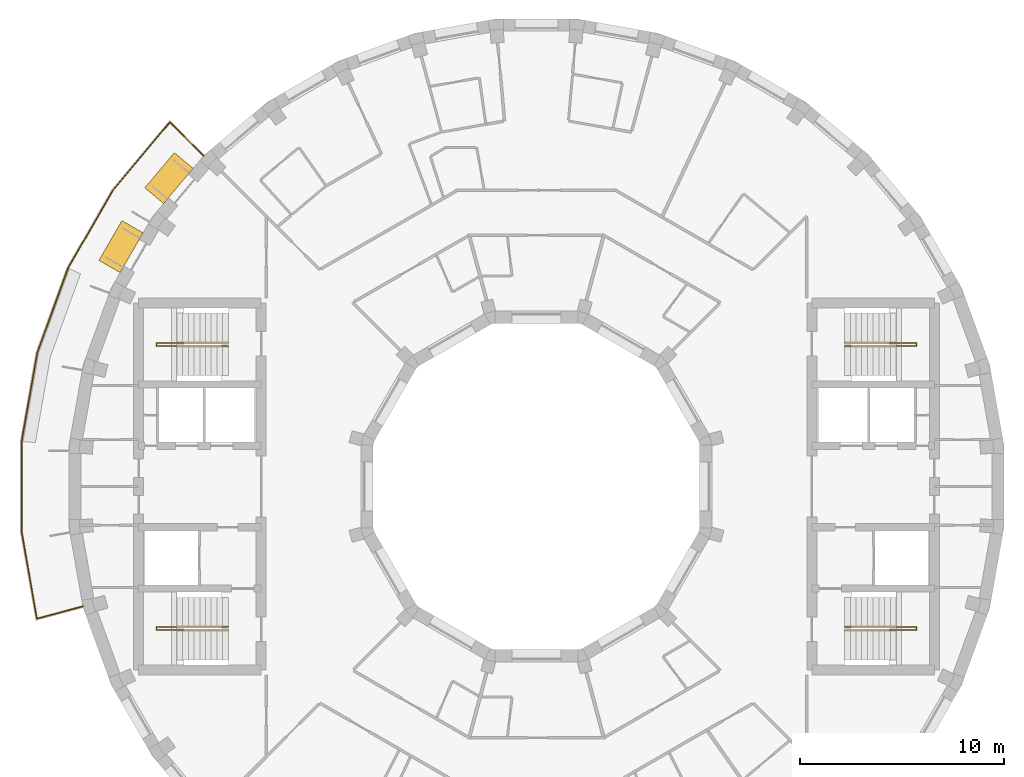
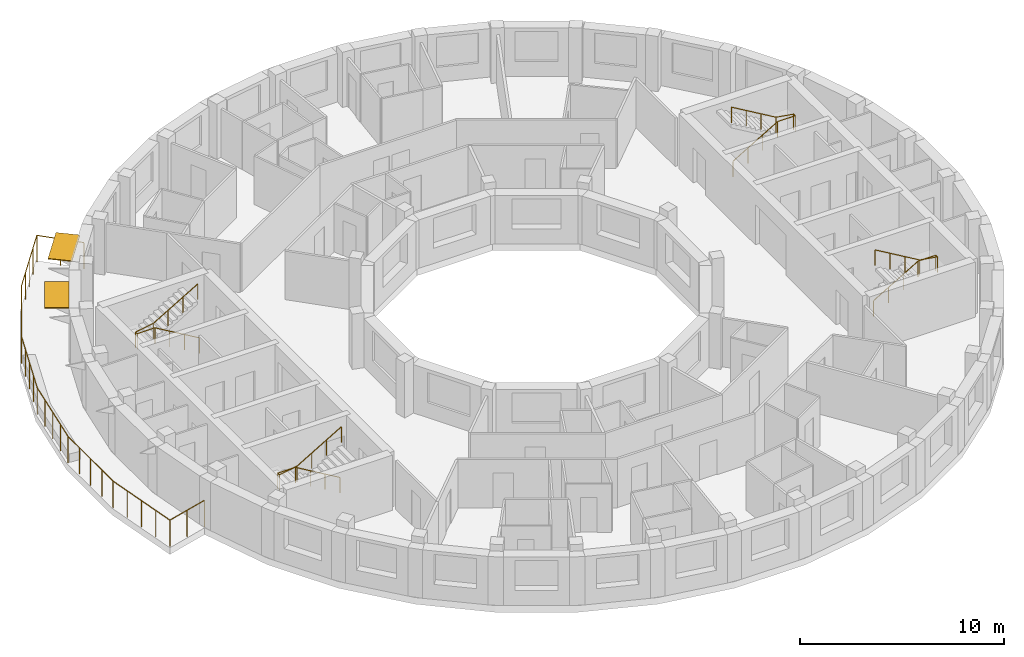
# One storey, part 10 of 10: 5 railings, 2 shading devices.
"""IFC4 building model written with IfcOpenShell, lengths in metres."""

from ifc_helpers import new_model, si_unit, direction, frame, origin, origin_2d, place, context, subcontext, project, spatial, rectangle, circle, extrude, material, layer, layer_set, type_object, element, save


model = new_model("IFC4")

# Units and contexts
model_context = context("Model", 3, precision=1e-05, world=origin(), true_north=direction((0.0, 1.0)))
body_context = subcontext(model_context, "Body", "Model", "MODEL_VIEW")
ifc_project = project(units=[si_unit("LENGTHUNIT", "METRE"), si_unit("AREAUNIT", "SQUARE_METRE"), si_unit("VOLUMEUNIT", "CUBIC_METRE"), si_unit("PLANEANGLEUNIT", "RADIAN"), si_unit("MASSUNIT", "GRAM", prefix="KILO")], contexts=[model_context])

# Site, building, storey
site_placement = place(None, origin())
site = spatial("IfcSite", under=ifc_project, at=site_placement, CompositionType="ELEMENT")
building_placement = place(site_placement, origin())
building = spatial("IfcBuilding", under=site, at=building_placement, Name="Saqina Gate Tower", CompositionType="ELEMENT")
storey_placement = place(building_placement, frame((0.0, 0.0, 239.60009765625)))
storey = spatial("IfcBuildingStorey", under=building, at=storey_placement, Name="L68", CompositionType="ELEMENT", Elevation=239.60009765625)

# Shading devices
ifc_material_1 = material(Name="Aluminium and fabric awning", Category="aluminium")
ifc_layer = layer(ifc_material_1, 0.050048828125)
ifc_layer_set = layer_set([ifc_layer], Name="AW-TERRACE")
shading_device_type = type_object("IfcShadingDeviceType", Name="AW-TERRACE", PredefinedType="AWNING", material=ifc_layer_set)
for number, where, z_axis, x_axis, name in (
    (1, (-18.01171875, 15.113525390625, 2.52490234375), (0.0, 0.0, 1.0), (-0.642787609687, -0.766044443119, 0.0), "Terrace awning L68 facet 14"),
    (2, (-20.3623046875, 11.756103515625, 2.52490234375), (0.0, 0.0, 1.0), (-0.5, -0.866025403784, 0.0), "Terrace awning L68 facet 15"),
):
    element("IfcShadingDevice", number, at=place(storey_placement, frame(where, z_axis=z_axis, x_axis=x_axis)), inside=storey, type_object=shading_device_type, Name=name, PredefinedType="AWNING", context=body_context, shape_type="SweptSolid", body=[
        extrude(rectangle(XDim=2.251708984375, YDim=1.199951171875, at=origin_2d()), origin(), (0.0, 0.0, 1.0), 0.050048828125),
    ])

# Railings
ifc_material_2 = material(Name="Stainless steel", Category="steel")
railing_type_1 = type_object("IfcRailingType", Name="RL-TERRACE", PredefinedType="GUARDRAIL", material=ifc_material_2)
railing_1_placement = place(storey_placement, frame((-16.277587890625, 16.16455078125, 0.0)))
element("IfcRailing", 3, at=railing_1_placement, inside=storey, type_object=railing_type_1, Name="Terrace guard L68", PredefinedType="GUARDRAIL", context=body_context, shape_type="SweptSolid", body=[
    extrude(circle(Radius=0.02392578125, at=origin_2d()), frame((0.0, 0.0, 1.576171875), z_axis=(-0.707157881947, 0.707055676733, 0.0), x_axis=(-0.707055676733, -0.707157881947, 0.0)), (0.0, 0.0, 1.0), 2.388671875),
    extrude(circle(Radius=0.02392578125, at=origin_2d()), frame((-1.689208984375, 1.68896484375, 1.576171875), z_axis=(-0.641584720745, -0.76705217952, 0.0), x_axis=(0.76705217952, -0.641584720745, 0.0)), (0.0, 0.0, 1.0), 4.33544921875),
    extrude(circle(Radius=0.02392578125, at=origin_2d()), frame((-4.470703125, -1.636474609375, 1.576171875), z_axis=(-0.49998092645, -0.866036415623, 0.0), x_axis=(0.866036415623, -0.49998092645, 0.0)), (0.0, 0.0, 1.0), 4.415283203125),
    extrude(circle(Radius=0.02392578125, at=origin_2d()), frame((-6.67822265625, -5.460205078125, 1.576171875), z_axis=(-0.342022770825, -0.93969166445, 0.0), x_axis=(0.93969166445, -0.342022770825, 0.0)), (0.0, 0.0, 1.0), 4.4150390625),
    extrude(circle(Radius=0.02392578125, at=origin_2d()), frame((-8.188232421875, -9.60888671875, 1.576171875), z_axis=(-0.173627609853, -0.984811379451, 0.0), x_axis=(0.984811379451, -0.173627609853, 0.0)), (0.0, 0.0, 1.0), 4.415283203125),
    extrude(circle(Radius=0.02392578125, at=origin_2d()), frame((-8.954833984375, -13.95703125, 1.576171875), z_axis=(0.0, -1.0, 0.0), x_axis=(1.0, 0.0, 0.0)), (0.0, 0.0, 1.0), 4.4150390625),
    extrude(circle(Radius=0.02392578125, at=origin_2d()), frame((-8.954833984375, -18.3720703125, 1.576171875), z_axis=(0.172037454969, -0.985090409093, 0.0), x_axis=(0.985090409093, 0.172037454969, 0.0)), (0.0, 0.0, 1.0), 4.33544921875),
    extrude(circle(Radius=0.02392578125, at=origin_2d()), frame((-8.208984375, -22.642822265625, 1.576171875), z_axis=(0.96594257821, 0.258756517988, 0.0), x_axis=(-0.258756517988, 0.96594257821, 0.0)), (0.0, 0.0, 1.0), 2.388916015625),
    extrude(circle(Radius=0.02099609375, at=origin_2d()), origin(), (0.0, 0.0, 1.0), 1.552001953125),
    extrude(circle(Radius=0.02099609375, at=origin_2d()), frame((-0.8447265625, 0.844482421875, 0.0)), (0.0, 0.0, 1.0), 1.552001953125),
    extrude(circle(Radius=0.02099609375, at=origin_2d()), frame((-1.689208984375, 1.68896484375, 0.0)), (0.0, 0.0, 1.0), 1.552001953125),
    extrude(circle(Radius=0.02099609375, at=origin_2d()), frame((-2.384521484375, 0.857666015625, 0.0)), (0.0, 0.0, 1.0), 1.552001953125),
    extrude(circle(Radius=0.02099609375, at=origin_2d()), frame((-3.080078125, 0.0263671875, 0.0)), (0.0, 0.0, 1.0), 1.552001953125),
    extrude(circle(Radius=0.02099609375, at=origin_2d()), frame((-3.775390625, -0.80517578125, 0.0)), (0.0, 0.0, 1.0), 1.552001953125),
    extrude(circle(Radius=0.02099609375, at=origin_2d()), frame((-4.470703125, -1.636474609375, 0.0)), (0.0, 0.0, 1.0), 1.552001953125),
    extrude(circle(Radius=0.02099609375, at=origin_2d()), frame((-5.0224609375, -2.59228515625, 0.0)), (0.0, 0.0, 1.0), 1.552001953125),
    extrude(circle(Radius=0.02099609375, at=origin_2d()), frame((-5.574462890625, -3.54833984375, 0.0)), (0.0, 0.0, 1.0), 1.552001953125),
    extrude(circle(Radius=0.02099609375, at=origin_2d()), frame((-6.12646484375, -4.50439453125, 0.0)), (0.0, 0.0, 1.0), 1.552001953125),
    extrude(circle(Radius=0.02099609375, at=origin_2d()), frame((-6.67822265625, -5.460205078125, 0.0)), (0.0, 0.0, 1.0), 1.552001953125),
    extrude(circle(Radius=0.02099609375, at=origin_2d()), frame((-7.0556640625, -6.497314453125, 0.0)), (0.0, 0.0, 1.0), 1.552001953125),
    extrude(circle(Radius=0.02099609375, at=origin_2d()), frame((-7.43310546875, -7.53466796875, 0.0)), (0.0, 0.0, 1.0), 1.552001953125),
    extrude(circle(Radius=0.02099609375, at=origin_2d()), frame((-7.810791015625, -8.57177734375, 0.0)), (0.0, 0.0, 1.0), 1.552001953125),
    extrude(circle(Radius=0.02099609375, at=origin_2d()), frame((-8.188232421875, -9.60888671875, 0.0)), (0.0, 0.0, 1.0), 1.552001953125),
    extrude(circle(Radius=0.02099609375, at=origin_2d()), frame((-8.3798828125, -10.69580078125, 0.0)), (0.0, 0.0, 1.0), 1.552001953125),
    extrude(circle(Radius=0.02099609375, at=origin_2d()), frame((-8.571533203125, -11.782958984375, 0.0)), (0.0, 0.0, 1.0), 1.552001953125),
    extrude(circle(Radius=0.02099609375, at=origin_2d()), frame((-8.76318359375, -12.8701171875, 0.0)), (0.0, 0.0, 1.0), 1.552001953125),
    extrude(circle(Radius=0.02099609375, at=origin_2d()), frame((-8.954833984375, -13.95703125, 0.0)), (0.0, 0.0, 1.0), 1.552001953125),
    extrude(circle(Radius=0.02099609375, at=origin_2d()), frame((-8.954833984375, -15.060791015625, 0.0)), (0.0, 0.0, 1.0), 1.552001953125),
    extrude(circle(Radius=0.02099609375, at=origin_2d()), frame((-8.954833984375, -16.16455078125, 0.0)), (0.0, 0.0, 1.0), 1.552001953125),
    extrude(circle(Radius=0.02099609375, at=origin_2d()), frame((-8.954833984375, -17.268310546875, 0.0)), (0.0, 0.0, 1.0), 1.552001953125),
    extrude(circle(Radius=0.02099609375, at=origin_2d()), frame((-8.954833984375, -18.3720703125, 0.0)), (0.0, 0.0, 1.0), 1.552001953125),
    extrude(circle(Radius=0.02099609375, at=origin_2d()), frame((-8.768310546875, -19.439697265625, 0.0)), (0.0, 0.0, 1.0), 1.552001953125),
    extrude(circle(Radius=0.02099609375, at=origin_2d()), frame((-8.58203125, -20.50732421875, 0.0)), (0.0, 0.0, 1.0), 1.552001953125),
    extrude(circle(Radius=0.02099609375, at=origin_2d()), frame((-8.3955078125, -21.5751953125, 0.0)), (0.0, 0.0, 1.0), 1.552001953125),
    extrude(circle(Radius=0.02099609375, at=origin_2d()), frame((-8.208984375, -22.642822265625, 0.0)), (0.0, 0.0, 1.0), 1.552001953125),
    extrude(circle(Radius=0.02099609375, at=origin_2d()), frame((-7.05517578125, -22.333740234375, 0.0)), (0.0, 0.0, 1.0), 1.552001953125),
    extrude(circle(Radius=0.02099609375, at=origin_2d()), frame((-5.9013671875, -22.024658203125, 0.0)), (0.0, 0.0, 1.0), 1.552001953125),
])
ifc_material_3 = material(Name="Stainless steel", Category="steel")
railing_type_2 = type_object("IfcRailingType", Name="STAIR HANDRAIL", PredefinedType="HANDRAIL", material=ifc_material_3)
railing_2_placement = place(storey_placement, frame((15.10009765625, 6.88330078125, 0.164794921875)))
element("IfcRailing", 4, at=railing_2_placement, inside=storey, type_object=railing_type_2, Name="EXIT STAIR 1 HANDRAIL", PredefinedType="HANDRAIL", context=body_context, shape_type="SweptSolid", body=[
    extrude(circle(Radius=0.02392578125, at=origin_2d()), frame((0.0, 0.0, 0.92578125), z_axis=(0.86152411907, 0.0, 0.507716645641), x_axis=(0.0, 1.0, 0.0)), (0.0, 0.0, 1.0), 2.925048828125),
    extrude(circle(Radius=0.02392578125, at=origin_2d()), frame((2.52001953125, 0.0, 2.4111328125), z_axis=(1.0, 0.0, 0.0), x_axis=(0.0, 1.0, 0.0)), (0.0, 0.0, 1.0), 1.0),
    extrude(circle(Radius=0.02392578125, at=origin_2d()), frame((3.52001953125, 0.0, 2.4111328125), z_axis=(0.0, 1.0, 0.0), x_axis=(-1.0, 0.0, 0.0)), (0.0, 0.0, 1.0), 0.158447265625),
    extrude(circle(Radius=0.02392578125, at=origin_2d()), frame((3.52001953125, 0.158447265625, 2.4111328125), z_axis=(-0.98665309941, 0.0, 0.162836302539), x_axis=(0.0, -1.0, 0.0)), (0.0, 0.0, 1.0), 1.013427734375),
    extrude(circle(Radius=0.02392578125, at=origin_2d()), frame((2.52001953125, 0.158447265625, 2.576171875), z_axis=(-0.861560626758, 0.0, 0.507654692109), x_axis=(0.0, -1.0, 0.0)), (0.0, 0.0, 1.0), 2.925048828125),
    extrude(circle(Radius=0.02099609375, at=origin_2d()), origin(), (0.0, 0.0, 1.0), 0.90185546875),
    extrude(circle(Radius=0.02099609375, at=origin_2d()), frame((0.840087890625, 0.0, 0.4951171875)), (0.0, 0.0, 1.0), 0.90185546875),
    extrude(circle(Radius=0.02099609375, at=origin_2d()), frame((1.679931640625, 0.0, 0.989990234375)), (0.0, 0.0, 1.0), 0.90185546875),
    extrude(circle(Radius=0.02099609375, at=origin_2d()), frame((2.52001953125, 0.0, 1.485107421875)), (0.0, 0.0, 1.0), 0.90185546875),
    extrude(circle(Radius=0.02099609375, at=origin_2d()), frame((3.52001953125, 0.0, 1.485107421875)), (0.0, 0.0, 1.0), 0.90185546875),
    extrude(circle(Radius=0.02099609375, at=origin_2d()), frame((3.52001953125, 0.158447265625, 1.485107421875)), (0.0, 0.0, 1.0), 0.90185546875),
    extrude(circle(Radius=0.02099609375, at=origin_2d()), frame((2.52001953125, 0.158447265625, 1.650146484375)), (0.0, 0.0, 1.0), 0.90185546875),
    extrude(circle(Radius=0.02099609375, at=origin_2d()), frame((1.679931640625, 0.158447265625, 2.14501953125)), (0.0, 0.0, 1.0), 0.90185546875),
    extrude(circle(Radius=0.02099609375, at=origin_2d()), frame((0.840087890625, 0.158447265625, 2.64013671875)), (0.0, 0.0, 1.0), 0.90185546875),
    extrude(circle(Radius=0.02099609375, at=origin_2d()), frame((0.0, 0.158447265625, 3.135009765625)), (0.0, 0.0, 1.0), 0.90185546875),
])
railing_3_placement = place(storey_placement, frame((15.10009765625, -6.88330078125, 0.164794921875)))
element("IfcRailing", 5, at=railing_3_placement, inside=storey, type_object=railing_type_2, Name="EXIT STAIR 2 HANDRAIL", PredefinedType="HANDRAIL", context=body_context, shape_type="SweptSolid", body=[
    extrude(circle(Radius=0.02392578125, at=origin_2d()), frame((0.0, 0.0, 0.92578125), z_axis=(0.86152411907, 0.0, 0.507716645641), x_axis=(0.0, 1.0, 0.0)), (0.0, 0.0, 1.0), 2.925048828125),
    extrude(circle(Radius=0.02392578125, at=origin_2d()), frame((2.52001953125, 0.0, 2.4111328125), z_axis=(1.0, 0.0, 0.0), x_axis=(0.0, 1.0, 0.0)), (0.0, 0.0, 1.0), 1.0),
    extrude(circle(Radius=0.02392578125, at=origin_2d()), frame((3.52001953125, 0.0, 2.4111328125), z_axis=(0.0, -1.0, 0.0), x_axis=(1.0, 0.0, 0.0)), (0.0, 0.0, 1.0), 0.158447265625),
    extrude(circle(Radius=0.02392578125, at=origin_2d()), frame((3.52001953125, -0.158447265625, 2.4111328125), z_axis=(-0.98665309941, 0.0, 0.162836302539), x_axis=(0.0, -1.0, 0.0)), (0.0, 0.0, 1.0), 1.013427734375),
    extrude(circle(Radius=0.02392578125, at=origin_2d()), frame((2.52001953125, -0.158447265625, 2.576171875), z_axis=(-0.861560626758, 0.0, 0.507654692109), x_axis=(0.0, -1.0, 0.0)), (0.0, 0.0, 1.0), 2.925048828125),
    extrude(circle(Radius=0.02099609375, at=origin_2d()), origin(), (0.0, 0.0, 1.0), 0.90185546875),
    extrude(circle(Radius=0.02099609375, at=origin_2d()), frame((0.840087890625, 0.0, 0.4951171875)), (0.0, 0.0, 1.0), 0.90185546875),
    extrude(circle(Radius=0.02099609375, at=origin_2d()), frame((1.679931640625, 0.0, 0.989990234375)), (0.0, 0.0, 1.0), 0.90185546875),
    extrude(circle(Radius=0.02099609375, at=origin_2d()), frame((2.52001953125, 0.0, 1.485107421875)), (0.0, 0.0, 1.0), 0.90185546875),
    extrude(circle(Radius=0.02099609375, at=origin_2d()), frame((3.52001953125, 0.0, 1.485107421875)), (0.0, 0.0, 1.0), 0.90185546875),
    extrude(circle(Radius=0.02099609375, at=origin_2d()), frame((3.52001953125, -0.158447265625, 1.485107421875)), (0.0, 0.0, 1.0), 0.90185546875),
    extrude(circle(Radius=0.02099609375, at=origin_2d()), frame((2.52001953125, -0.158447265625, 1.650146484375)), (0.0, 0.0, 1.0), 0.90185546875),
    extrude(circle(Radius=0.02099609375, at=origin_2d()), frame((1.679931640625, -0.158447265625, 2.14501953125)), (0.0, 0.0, 1.0), 0.90185546875),
    extrude(circle(Radius=0.02099609375, at=origin_2d()), frame((0.840087890625, -0.158447265625, 2.64013671875)), (0.0, 0.0, 1.0), 0.90185546875),
    extrude(circle(Radius=0.02099609375, at=origin_2d()), frame((0.0, -0.158447265625, 3.135009765625)), (0.0, 0.0, 1.0), 0.90185546875),
])
railing_4_placement = place(storey_placement, frame((-15.10009765625, 6.88330078125, 0.164794921875)))
element("IfcRailing", 6, at=railing_4_placement, inside=storey, type_object=railing_type_2, Name="EXIT STAIR 3 HANDRAIL", PredefinedType="HANDRAIL", context=body_context, shape_type="SweptSolid", body=[
    extrude(circle(Radius=0.02392578125, at=origin_2d()), frame((0.0, 0.0, 0.92578125), z_axis=(-0.86152411907, 0.0, 0.507716645641), x_axis=(0.0, -1.0, 0.0)), (0.0, 0.0, 1.0), 2.925048828125),
    extrude(circle(Radius=0.02392578125, at=origin_2d()), frame((-2.52001953125, 0.0, 2.4111328125), z_axis=(-1.0, 0.0, 0.0), x_axis=(0.0, -1.0, 0.0)), (0.0, 0.0, 1.0), 1.0),
    extrude(circle(Radius=0.02392578125, at=origin_2d()), frame((-3.52001953125, 0.0, 2.4111328125), z_axis=(0.0, 1.0, 0.0), x_axis=(-1.0, 0.0, 0.0)), (0.0, 0.0, 1.0), 0.158447265625),
    extrude(circle(Radius=0.02392578125, at=origin_2d()), frame((-3.52001953125, 0.158447265625, 2.4111328125), z_axis=(0.98665309941, 0.0, 0.162836302539), x_axis=(0.0, 1.0, 0.0)), (0.0, 0.0, 1.0), 1.013427734375),
    extrude(circle(Radius=0.02392578125, at=origin_2d()), frame((-2.52001953125, 0.158447265625, 2.576171875), z_axis=(0.861560626758, 0.0, 0.507654692109), x_axis=(0.0, 1.0, 0.0)), (0.0, 0.0, 1.0), 2.925048828125),
    extrude(circle(Radius=0.02099609375, at=origin_2d()), origin(), (0.0, 0.0, 1.0), 0.90185546875),
    extrude(circle(Radius=0.02099609375, at=origin_2d()), frame((-0.840087890625, 0.0, 0.4951171875)), (0.0, 0.0, 1.0), 0.90185546875),
    extrude(circle(Radius=0.02099609375, at=origin_2d()), frame((-1.679931640625, 0.0, 0.989990234375)), (0.0, 0.0, 1.0), 0.90185546875),
    extrude(circle(Radius=0.02099609375, at=origin_2d()), frame((-2.52001953125, 0.0, 1.485107421875)), (0.0, 0.0, 1.0), 0.90185546875),
    extrude(circle(Radius=0.02099609375, at=origin_2d()), frame((-3.52001953125, 0.0, 1.485107421875)), (0.0, 0.0, 1.0), 0.90185546875),
    extrude(circle(Radius=0.02099609375, at=origin_2d()), frame((-3.52001953125, 0.158447265625, 1.485107421875)), (0.0, 0.0, 1.0), 0.90185546875),
    extrude(circle(Radius=0.02099609375, at=origin_2d()), frame((-2.52001953125, 0.158447265625, 1.650146484375)), (0.0, 0.0, 1.0), 0.90185546875),
    extrude(circle(Radius=0.02099609375, at=origin_2d()), frame((-1.679931640625, 0.158447265625, 2.14501953125)), (0.0, 0.0, 1.0), 0.90185546875),
    extrude(circle(Radius=0.02099609375, at=origin_2d()), frame((-0.840087890625, 0.158447265625, 2.64013671875)), (0.0, 0.0, 1.0), 0.90185546875),
    extrude(circle(Radius=0.02099609375, at=origin_2d()), frame((0.0, 0.158447265625, 3.135009765625)), (0.0, 0.0, 1.0), 0.90185546875),
])
railing_5_placement = place(storey_placement, frame((-15.10009765625, -6.88330078125, 0.164794921875)))
element("IfcRailing", 7, at=railing_5_placement, inside=storey, type_object=railing_type_2, Name="EXIT STAIR 4 HANDRAIL", PredefinedType="HANDRAIL", context=body_context, shape_type="SweptSolid", body=[
    extrude(circle(Radius=0.02392578125, at=origin_2d()), frame((0.0, 0.0, 0.92578125), z_axis=(-0.86152411907, 0.0, 0.507716645641), x_axis=(0.0, -1.0, 0.0)), (0.0, 0.0, 1.0), 2.925048828125),
    extrude(circle(Radius=0.02392578125, at=origin_2d()), frame((-2.52001953125, 0.0, 2.4111328125), z_axis=(-1.0, 0.0, 0.0), x_axis=(0.0, -1.0, 0.0)), (0.0, 0.0, 1.0), 1.0),
    extrude(circle(Radius=0.02392578125, at=origin_2d()), frame((-3.52001953125, 0.0, 2.4111328125), z_axis=(0.0, -1.0, 0.0), x_axis=(1.0, 0.0, 0.0)), (0.0, 0.0, 1.0), 0.158447265625),
    extrude(circle(Radius=0.02392578125, at=origin_2d()), frame((-3.52001953125, -0.158447265625, 2.4111328125), z_axis=(0.98665309941, 0.0, 0.162836302539), x_axis=(0.0, 1.0, 0.0)), (0.0, 0.0, 1.0), 1.013427734375),
    extrude(circle(Radius=0.02392578125, at=origin_2d()), frame((-2.52001953125, -0.158447265625, 2.576171875), z_axis=(0.861560626758, 0.0, 0.507654692109), x_axis=(0.0, 1.0, 0.0)), (0.0, 0.0, 1.0), 2.925048828125),
    extrude(circle(Radius=0.02099609375, at=origin_2d()), origin(), (0.0, 0.0, 1.0), 0.90185546875),
    extrude(circle(Radius=0.02099609375, at=origin_2d()), frame((-0.840087890625, 0.0, 0.4951171875)), (0.0, 0.0, 1.0), 0.90185546875),
    extrude(circle(Radius=0.02099609375, at=origin_2d()), frame((-1.679931640625, 0.0, 0.989990234375)), (0.0, 0.0, 1.0), 0.90185546875),
    extrude(circle(Radius=0.02099609375, at=origin_2d()), frame((-2.52001953125, 0.0, 1.485107421875)), (0.0, 0.0, 1.0), 0.90185546875),
    extrude(circle(Radius=0.02099609375, at=origin_2d()), frame((-3.52001953125, 0.0, 1.485107421875)), (0.0, 0.0, 1.0), 0.90185546875),
    extrude(circle(Radius=0.02099609375, at=origin_2d()), frame((-3.52001953125, -0.158447265625, 1.485107421875)), (0.0, 0.0, 1.0), 0.90185546875),
    extrude(circle(Radius=0.02099609375, at=origin_2d()), frame((-2.52001953125, -0.158447265625, 1.650146484375)), (0.0, 0.0, 1.0), 0.90185546875),
    extrude(circle(Radius=0.02099609375, at=origin_2d()), frame((-1.679931640625, -0.158447265625, 2.14501953125)), (0.0, 0.0, 1.0), 0.90185546875),
    extrude(circle(Radius=0.02099609375, at=origin_2d()), frame((-0.840087890625, -0.158447265625, 2.64013671875)), (0.0, 0.0, 1.0), 0.90185546875),
    extrude(circle(Radius=0.02099609375, at=origin_2d()), frame((0.0, -0.158447265625, 3.135009765625)), (0.0, 0.0, 1.0), 0.90185546875),
])

save(model, "model.ifc")
